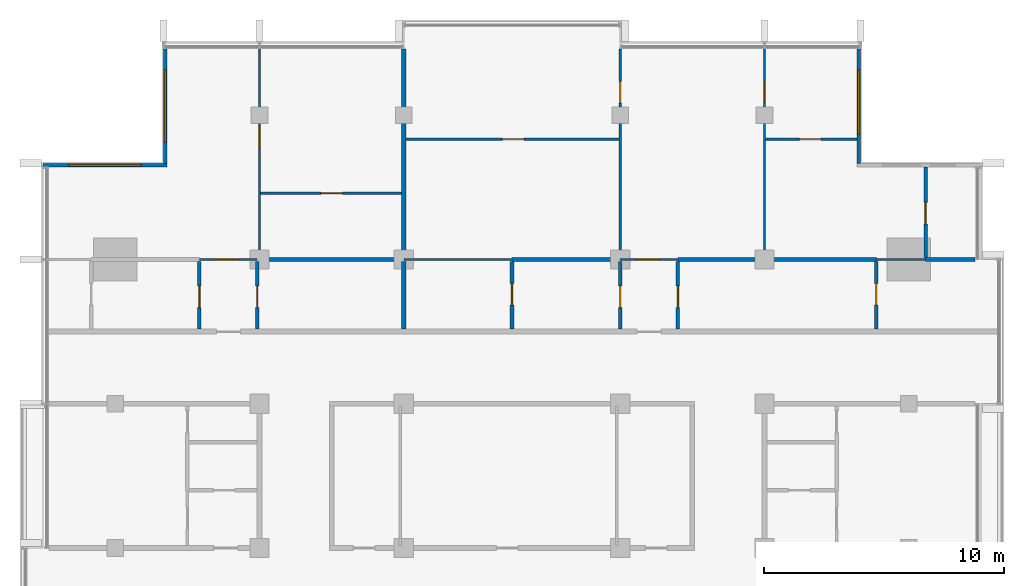
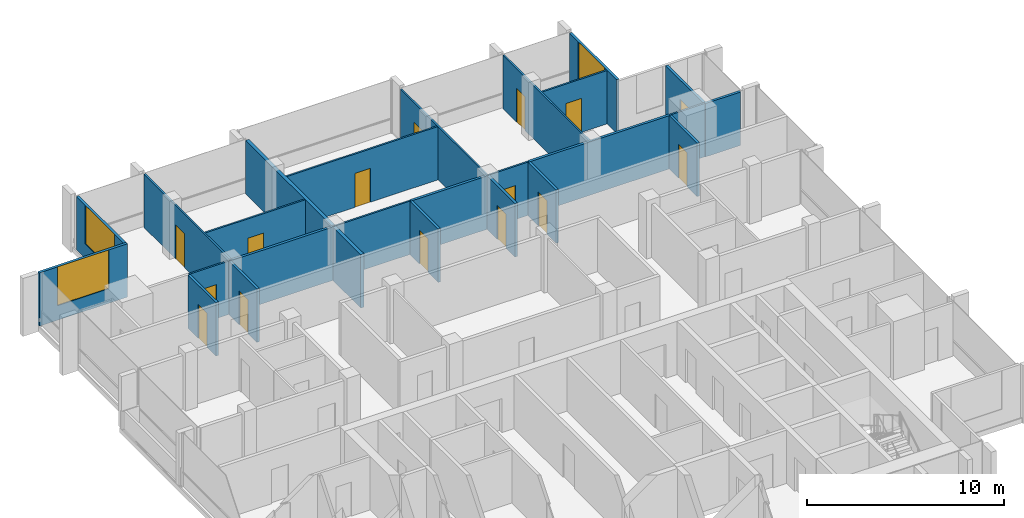
# One storey, part 10 of 16: 26 walls, 15 doors, 3 windows, 18 openings.
"""IFC4 building model written with IfcOpenShell, lengths in metres."""

from ifc_helpers import new_model, si_unit, direction, frame, frame_2d, origin, place, context, subcontext, project, spatial, rectangle, extrude, material, layer, layer_set, type_object, element, fill, save


model = new_model("IFC4")

# Units and contexts
model_context = context("Model", 3, precision=1e-05, world=origin(), true_north=direction((0.0, 1.0)))
body_context = subcontext(model_context, "Body", "Model", "MODEL_VIEW")
ifc_project = project(units=[si_unit("LENGTHUNIT", "METRE"), si_unit("AREAUNIT", "SQUARE_METRE"), si_unit("VOLUMEUNIT", "CUBIC_METRE"), si_unit("PLANEANGLEUNIT", "RADIAN"), si_unit("MASSUNIT", "GRAM", prefix="KILO")], contexts=[model_context])

# Site, building, storey
site_placement = place(None, origin())
site = spatial("IfcSite", under=ifc_project, at=site_placement, CompositionType="ELEMENT")
building_placement = place(site_placement, origin())
building = spatial("IfcBuilding", under=site, at=building_placement, Name="Finial Court Residences", CompositionType="ELEMENT")
storey_placement = place(building_placement, frame((0.0, 0.0, 287.89990234375)))
storey = spatial("IfcBuildingStorey", under=building, at=storey_placement, Name="L73", CompositionType="ELEMENT", Elevation=287.89990234375)

# Walls
ifc_material_1 = material(Name="Gypsum board")
ifc_layer_1 = layer(ifc_material_1, 0.02490234375)
ifc_material_2 = material(Name="Acoustic mineral wool in double frame")
ifc_layer_2 = layer(ifc_material_2, 0.14990234375)
ifc_layer_3 = layer(ifc_material_1, 0.02490234375)
ifc_layer_set_1 = layer_set([ifc_layer_1, ifc_layer_2, ifc_layer_3], Name="Acoustic party wall 200, 1 hour")
wall_type_1 = type_object("IfcWallType", Name="Acoustic party wall 200, 1 hour", PredefinedType="PARTITIONING", material=ifc_layer_set_1)
wall_1_placement = place(storey_placement, frame((-4.5, 4.60009765625, 0.0), z_axis=(0.0, 0.0, 1.0), x_axis=(0.0, 1.0, 0.0)))
element("IfcWall", 1, at=wall_1_placement, inside=storey, type_object=wall_type_1, Name="Partition L73-040", PredefinedType="PARTITIONING", context=body_context, shape_type="SweptSolid", body=[
    extrude(rectangle(XDim=2.824951171875, YDim=0.199951171875, at=frame_2d((1.41259765625, 0.0))), origin(), (0.0, 0.0, 1.0), 3.300048828125),
])
wall_2_placement = place(storey_placement, frame((-4.5, 7.574951171875, 0.0), z_axis=(0.0, 0.0, 1.0), x_axis=(0.0, 1.0, 0.0)))
element("IfcWall", 2, at=wall_2_placement, inside=storey, type_object=wall_type_1, Name="Partition L73-041", PredefinedType="PARTITIONING", context=body_context, shape_type="SweptSolid", body=[
    extrude(rectangle(XDim=8.6875, YDim=0.199951171875, at=frame_2d((4.34375, 0.0))), origin(), (0.0, 0.0, 1.0), 3.300048828125),
])

# Wall, opening, door
ifc_layer_4 = layer(ifc_material_1, 0.012451171875)
ifc_material_3 = material(Name="Mineral wool in light-gauge frame")
ifc_layer_5 = layer(ifc_material_3, 0.074951171875)
ifc_layer_6 = layer(ifc_material_1, 0.012451171875)
ifc_layer_set_2 = layer_set([ifc_layer_4, ifc_layer_5, ifc_layer_6], Name="Gypsum board partition 100")
wall_type_2 = type_object("IfcWallType", Name="Gypsum board partition 100", PredefinedType="PARTITIONING", material=ifc_layer_set_2)
wall_3_placement = place(storey_placement, frame((-13.0, 7.5, 0.0), z_axis=(0.0, 0.0, 1.0), x_axis=(1.0, 0.0, 0.0)))
wall_3 = element("IfcWall", 3, at=wall_3_placement, inside=storey, type_object=wall_type_2, Name="Partition L73-018", PredefinedType="PARTITIONING", context=body_context, shape_type="SweptSolid", body=[
    extrude(rectangle(XDim=2.39990234375, YDim=0.10009765625, at=frame_2d((1.199951171875, 0.0))), origin(), (0.0, 0.0, 1.0), 3.300048828125),
])
opening_1_placement = place(wall_3_placement, frame((0.699951171875, 0.0, 0.0)))
opening_1 = element("IfcOpeningElement", 4, at=opening_1_placement, cuts=wall_3, Name="Opening L73-D018", PredefinedType="OPENING", context=body_context, shape_type="SweptSolid", body=[
    extrude(rectangle(XDim=0.89990234375, YDim=2.10009765625, at=frame_2d((0.449951171875, 1.050048828125))), frame((0.0, 0.06005859375, 0.0), z_axis=(0.0, -1.0, 0.0), x_axis=(1.0, 0.0, 0.0)), (0.0, 0.0, 1.0), 0.1201171875),
])
ifc_material_4 = material(Name="Timber door leaf in timber frame", Category="wood")
door_type = type_object("IfcDoorType", Name="Door set 900 x 2100", OperationType="SINGLE_SWING_LEFT", PredefinedType="DOOR", material=ifc_material_4)
door_1_placement = place(opening_1_placement, origin())
door_1 = element("IfcDoor", 5, at=door_1_placement, inside=storey, type_object=door_type, Name="Door L73-D018", OperationType="SINGLE_SWING_RIGHT", OverallHeight=2.10009765625, OverallWidth=0.89990234375, PredefinedType="DOOR", context=body_context, shape_type="SweptSolid", body=[
    extrude(rectangle(XDim=0.89990234375, YDim=2.10009765625, at=frame_2d((0.449951171875, 1.050048828125))), frame((0.0, 0.02490234375, 0.0), z_axis=(0.0, -1.0, 0.0), x_axis=(1.0, 0.0, 0.0)), (0.0, 0.0, 1.0), 0.050048828125),
])
fill(opening_1, door_1)

# Wall
wall_4_placement = place(storey_placement, frame((-4.5, 7.5, 0.0), z_axis=(0.0, 0.0, 1.0), x_axis=(1.0, 0.0, 0.0)))
element("IfcWall", 6, at=wall_4_placement, inside=storey, type_object=wall_type_2, Name="Partition L73-019", PredefinedType="PARTITIONING", context=body_context, shape_type="SweptSolid", body=[
    extrude(rectangle(XDim=4.5, YDim=0.10009765625, at=frame_2d((2.25, 0.0))), origin(), (0.0, 0.0, 1.0), 3.300048828125),
])

# Wall, opening, door
wall_5_placement = place(storey_placement, frame((4.5, 7.5, 0.0), z_axis=(0.0, 0.0, 1.0), x_axis=(1.0, 0.0, 0.0)))
wall_5 = element("IfcWall", 7, at=wall_5_placement, inside=storey, type_object=wall_type_2, Name="Partition L73-020", PredefinedType="PARTITIONING", context=body_context, shape_type="SweptSolid", body=[
    extrude(rectangle(XDim=2.39990234375, YDim=0.10009765625, at=frame_2d((1.199951171875, 0.0))), origin(), (0.0, 0.0, 1.0), 3.300048828125),
])
opening_2_placement = place(wall_5_placement, frame((0.699951171875, 0.0, 0.0)))
opening_2 = element("IfcOpeningElement", 8, at=opening_2_placement, cuts=wall_5, Name="Opening L73-D019", PredefinedType="OPENING", context=body_context, shape_type="SweptSolid", body=[
    extrude(rectangle(XDim=0.89990234375, YDim=2.10009765625, at=frame_2d((0.449951171875, 1.050048828125))), frame((0.0, 0.06005859375, 0.0), z_axis=(0.0, -1.0, 0.0), x_axis=(1.0, 0.0, 0.0)), (0.0, 0.0, 1.0), 0.1201171875),
])
door_2_placement = place(opening_2_placement, origin())
door_2 = element("IfcDoor", 9, at=door_2_placement, inside=storey, type_object=door_type, Name="Door L73-D019", OperationType="SINGLE_SWING_LEFT", OverallHeight=2.10009765625, OverallWidth=0.89990234375, PredefinedType="DOOR", context=body_context, shape_type="SweptSolid", body=[
    extrude(rectangle(XDim=0.89990234375, YDim=2.10009765625, at=frame_2d((0.449951171875, 1.050048828125))), frame((0.0, 0.02490234375, 0.0), z_axis=(0.0, -1.0, 0.0), x_axis=(1.0, 0.0, 0.0)), (0.0, 0.0, 1.0), 0.050048828125),
])
fill(opening_2, door_2)

# Wall
wall_6_placement = place(storey_placement, frame((15.14990234375, 7.5, 0.0), z_axis=(0.0, 0.0, 1.0), x_axis=(1.0, 0.0, 0.0)))
element("IfcWall", 10, at=wall_6_placement, inside=storey, type_object=wall_type_2, Name="Partition L73-021", PredefinedType="PARTITIONING", context=body_context, shape_type="SweptSolid", body=[
    extrude(rectangle(XDim=2.050048828125, YDim=0.10009765625, at=frame_2d((1.02490234375, 0.0))), origin(), (0.0, 0.0, 1.0), 3.300048828125),
])

# Wall, opening, door
wall_7_placement = place(storey_placement, frame((-10.449951171875, 10.25, 0.0), z_axis=(0.0, 0.0, 1.0), x_axis=(1.0, 0.0, 0.0)))
wall_7 = element("IfcWall", 11, at=wall_7_placement, inside=storey, type_object=wall_type_2, Name="Partition L73-027", PredefinedType="PARTITIONING", context=body_context, shape_type="SweptSolid", body=[
    extrude(rectangle(XDim=5.849853515625, YDim=0.10009765625, at=frame_2d((2.9248046875, 0.0))), origin(), (0.0, 0.0, 1.0), 3.300048828125),
])
opening_3_placement = place(wall_7_placement, frame((2.5, 0.0, 0.0)))
opening_3 = element("IfcOpeningElement", 12, at=opening_3_placement, cuts=wall_7, Name="Opening L73-D020", PredefinedType="OPENING", context=body_context, shape_type="SweptSolid", body=[
    extrude(rectangle(XDim=0.89990234375, YDim=2.10009765625, at=frame_2d((0.449951171875, 1.050048828125))), frame((0.0, 0.06005859375, 0.0), z_axis=(0.0, -1.0, 0.0), x_axis=(1.0, 0.0, 0.0)), (0.0, 0.0, 1.0), 0.1201171875),
])
door_3_placement = place(opening_3_placement, origin())
door_3 = element("IfcDoor", 13, at=door_3_placement, inside=storey, type_object=door_type, Name="Door L73-D020", OperationType="SINGLE_SWING_RIGHT", OverallHeight=2.10009765625, OverallWidth=0.89990234375, PredefinedType="DOOR", context=body_context, shape_type="SweptSolid", body=[
    extrude(rectangle(XDim=0.89990234375, YDim=2.10009765625, at=frame_2d((0.449951171875, 1.050048828125))), frame((0.0, 0.02490234375, 0.0), z_axis=(0.0, -1.0, 0.0), x_axis=(1.0, 0.0, 0.0)), (0.0, 0.0, 1.0), 0.050048828125),
])
fill(opening_3, door_3)

wall_8_placement = place(storey_placement, frame((-4.39990234375, 12.5, 0.0), z_axis=(0.0, 0.0, 1.0), x_axis=(1.0, 0.0, 0.0)))
wall_8 = element("IfcWall", 14, at=wall_8_placement, inside=storey, type_object=wall_type_2, Name="Partition L73-028", PredefinedType="PARTITIONING", context=body_context, shape_type="SweptSolid", body=[
    extrude(rectangle(XDim=8.849853515625, YDim=0.10009765625, at=frame_2d((4.4248046875, 0.0))), origin(), (0.0, 0.0, 1.0), 3.300048828125),
])
opening_4_placement = place(wall_8_placement, frame((4.0, 0.0, 0.0)))
opening_4 = element("IfcOpeningElement", 15, at=opening_4_placement, cuts=wall_8, Name="Opening L73-D021", PredefinedType="OPENING", context=body_context, shape_type="SweptSolid", body=[
    extrude(rectangle(XDim=0.89990234375, YDim=2.10009765625, at=frame_2d((0.449951171875, 1.050048828125))), frame((0.0, 0.06005859375, 0.0), z_axis=(0.0, -1.0, 0.0), x_axis=(1.0, 0.0, 0.0)), (0.0, 0.0, 1.0), 0.1201171875),
])
door_4_placement = place(opening_4_placement, origin())
door_4 = element("IfcDoor", 16, at=door_4_placement, inside=storey, type_object=door_type, Name="Door L73-D021", OperationType="SINGLE_SWING_LEFT", OverallHeight=2.10009765625, OverallWidth=0.89990234375, PredefinedType="DOOR", context=body_context, shape_type="SweptSolid", body=[
    extrude(rectangle(XDim=0.89990234375, YDim=2.10009765625, at=frame_2d((0.449951171875, 1.050048828125))), frame((0.0, 0.02490234375, 0.0), z_axis=(0.0, -1.0, 0.0), x_axis=(1.0, 0.0, 0.0)), (0.0, 0.0, 1.0), 0.050048828125),
])
fill(opening_4, door_4)

wall_9_placement = place(storey_placement, frame((10.550048828125, 12.5, 0.0), z_axis=(0.0, 0.0, 1.0), x_axis=(1.0, 0.0, 0.0)))
wall_9 = element("IfcWall", 17, at=wall_9_placement, inside=storey, type_object=wall_type_2, Name="Partition L73-029", PredefinedType="PARTITIONING", context=body_context, shape_type="SweptSolid", body=[
    extrude(rectangle(XDim=3.800048828125, YDim=0.10009765625, at=frame_2d((1.89990234375, 0.0))), origin(), (0.0, 0.0, 1.0), 3.300048828125),
])
opening_5_placement = place(wall_9_placement, frame((1.39990234375, 0.0, 0.0)))
opening_5 = element("IfcOpeningElement", 18, at=opening_5_placement, cuts=wall_9, Name="Opening L73-D022", PredefinedType="OPENING", context=body_context, shape_type="SweptSolid", body=[
    extrude(rectangle(XDim=0.89990234375, YDim=2.10009765625, at=frame_2d((0.449951171875, 1.050048828125))), frame((0.0, 0.06005859375, 0.0), z_axis=(0.0, -1.0, 0.0), x_axis=(1.0, 0.0, 0.0)), (0.0, 0.0, 1.0), 0.1201171875),
])
door_5_placement = place(opening_5_placement, origin())
door_5 = element("IfcDoor", 19, at=door_5_placement, inside=storey, type_object=door_type, Name="Door L73-D022", OperationType="SINGLE_SWING_LEFT", OverallHeight=2.10009765625, OverallWidth=0.89990234375, PredefinedType="DOOR", context=body_context, shape_type="SweptSolid", body=[
    extrude(rectangle(XDim=0.89990234375, YDim=2.10009765625, at=frame_2d((0.449951171875, 1.050048828125))), frame((0.0, 0.02490234375, 0.0), z_axis=(0.0, -1.0, 0.0), x_axis=(1.0, 0.0, 0.0)), (0.0, 0.0, 1.0), 0.050048828125),
])
fill(opening_5, door_5)

wall_10_placement = place(storey_placement, frame((-10.5, 7.574951171875, 0.0), z_axis=(0.0, 0.0, 1.0), x_axis=(0.0, 1.0, 0.0)))
wall_10 = element("IfcWall", 20, at=wall_10_placement, inside=storey, type_object=wall_type_2, Name="Partition L73-037", PredefinedType="PARTITIONING", context=body_context, shape_type="SweptSolid", body=[
    extrude(rectangle(XDim=8.6875, YDim=0.10009765625, at=frame_2d((4.34375, 0.0))), origin(), (0.0, 0.0, 1.0), 3.300048828125),
])
opening_6_placement = place(wall_10_placement, frame((4.574951171875, 0.0, 0.0)))
opening_6 = element("IfcOpeningElement", 21, at=opening_6_placement, cuts=wall_10, Name="Opening L73-D028", PredefinedType="OPENING", context=body_context, shape_type="SweptSolid", body=[
    extrude(rectangle(XDim=0.89990234375, YDim=2.10009765625, at=frame_2d((0.449951171875, 1.050048828125))), frame((0.0, 0.06005859375, 0.0), z_axis=(0.0, -1.0, 0.0), x_axis=(1.0, 0.0, 0.0)), (0.0, 0.0, 1.0), 0.1201171875),
])
door_6_placement = place(opening_6_placement, origin())
door_6 = element("IfcDoor", 22, at=door_6_placement, inside=storey, type_object=door_type, Name="Door L73-D028", OperationType="SINGLE_SWING_RIGHT", OverallHeight=2.10009765625, OverallWidth=0.89990234375, PredefinedType="DOOR", context=body_context, shape_type="SweptSolid", body=[
    extrude(rectangle(XDim=0.89990234375, YDim=2.10009765625, at=frame_2d((0.449951171875, 1.050048828125))), frame((0.0, 0.02490234375, 0.0), z_axis=(0.0, -1.0, 0.0), x_axis=(1.0, 0.0, 0.0)), (0.0, 0.0, 1.0), 0.050048828125),
])
fill(opening_6, door_6)

wall_11_placement = place(storey_placement, frame((4.5, 7.574951171875, 0.0), z_axis=(0.0, 0.0, 1.0), x_axis=(0.0, 1.0, 0.0)))
wall_11 = element("IfcWall", 23, at=wall_11_placement, inside=storey, type_object=wall_type_2, Name="Partition L73-044", PredefinedType="PARTITIONING", context=body_context, shape_type="SweptSolid", body=[
    extrude(rectangle(XDim=8.6875, YDim=0.10009765625, at=frame_2d((4.34375, 0.0))), origin(), (0.0, 0.0, 1.0), 3.300048828125),
])
opening_7_placement = place(wall_11_placement, frame((6.425048828125, 0.0, 0.0)))
opening_7 = element("IfcOpeningElement", 24, at=opening_7_placement, cuts=wall_11, Name="Opening L73-D030", PredefinedType="OPENING", context=body_context, shape_type="SweptSolid", body=[
    extrude(rectangle(XDim=0.89990234375, YDim=2.10009765625, at=frame_2d((0.449951171875, 1.050048828125))), frame((0.0, 0.06005859375, 0.0), z_axis=(0.0, -1.0, 0.0), x_axis=(1.0, 0.0, 0.0)), (0.0, 0.0, 1.0), 0.1201171875),
])
door_7_placement = place(opening_7_placement, origin())
door_7 = element("IfcDoor", 25, at=door_7_placement, inside=storey, type_object=door_type, Name="Door L73-D030", OperationType="SINGLE_SWING_LEFT", OverallHeight=2.10009765625, OverallWidth=0.89990234375, PredefinedType="DOOR", context=body_context, shape_type="SweptSolid", body=[
    extrude(rectangle(XDim=0.89990234375, YDim=2.10009765625, at=frame_2d((0.449951171875, 1.050048828125))), frame((0.0, 0.02490234375, 0.0), z_axis=(0.0, -1.0, 0.0), x_axis=(1.0, 0.0, 0.0)), (0.0, 0.0, 1.0), 0.050048828125),
])
fill(opening_7, door_7)

wall_12_placement = place(storey_placement, frame((10.5, 7.574951171875, 0.0), z_axis=(0.0, 0.0, 1.0), x_axis=(0.0, 1.0, 0.0)))
wall_12 = element("IfcWall", 26, at=wall_12_placement, inside=storey, type_object=wall_type_2, Name="Partition L73-049", PredefinedType="PARTITIONING", context=body_context, shape_type="SweptSolid", body=[
    extrude(rectangle(XDim=8.6875, YDim=0.10009765625, at=frame_2d((4.34375, 0.0))), origin(), (0.0, 0.0, 1.0), 3.300048828125),
])
opening_8_placement = place(wall_12_placement, frame((6.425048828125, 0.0, 0.0)))
opening_8 = element("IfcOpeningElement", 27, at=opening_8_placement, cuts=wall_12, Name="Opening L73-D033", PredefinedType="OPENING", context=body_context, shape_type="SweptSolid", body=[
    extrude(rectangle(XDim=0.89990234375, YDim=2.10009765625, at=frame_2d((0.449951171875, 1.050048828125))), frame((0.0, 0.06005859375, 0.0), z_axis=(0.0, -1.0, 0.0), x_axis=(1.0, 0.0, 0.0)), (0.0, 0.0, 1.0), 0.1201171875),
])
door_8_placement = place(opening_8_placement, origin())
door_8 = element("IfcDoor", 28, at=door_8_placement, inside=storey, type_object=door_type, Name="Door L73-D033", OperationType="SINGLE_SWING_RIGHT", OverallHeight=2.10009765625, OverallWidth=0.89990234375, PredefinedType="DOOR", context=body_context, shape_type="SweptSolid", body=[
    extrude(rectangle(XDim=0.89990234375, YDim=2.10009765625, at=frame_2d((0.449951171875, 1.050048828125))), frame((0.0, 0.02490234375, 0.0), z_axis=(0.0, -1.0, 0.0), x_axis=(1.0, 0.0, 0.0)), (0.0, 0.0, 1.0), 0.050048828125),
])
fill(opening_8, door_8)

# Walls
ifc_material_5 = material(Name="Moisture-resistant gypsum board")
ifc_layer_7 = layer(ifc_material_5, 0.012451171875)
ifc_layer_8 = layer(ifc_material_3, 0.125)
ifc_layer_9 = layer(ifc_material_5, 0.012451171875)
ifc_layer_set_3 = layer_set([ifc_layer_7, ifc_layer_8, ifc_layer_9], Name="Gypsum board wet-area partition 150")
wall_type_3 = type_object("IfcWallType", Name="Gypsum board wet-area partition 150", PredefinedType="PARTITIONING", material=ifc_layer_set_3)
wall_13_placement = place(storey_placement, frame((-10.5, 7.5, 0.0), z_axis=(0.0, 0.0, 1.0), x_axis=(1.0, 0.0, 0.0)))
element("IfcWall", 29, at=wall_13_placement, inside=storey, type_object=wall_type_3, Name="Partition L73-023", PredefinedType="PARTITIONING", context=body_context, shape_type="SweptSolid", body=[
    extrude(rectangle(XDim=6.0, YDim=0.14990234375, at=frame_2d((3.0, 0.0))), origin(), (0.0, 0.0, 1.0), 3.300048828125),
])
wall_14_placement = place(storey_placement, frame((0.0, 7.5, 0.0), z_axis=(0.0, 0.0, 1.0), x_axis=(1.0, 0.0, 0.0)))
element("IfcWall", 30, at=wall_14_placement, inside=storey, type_object=wall_type_3, Name="Partition L73-024", PredefinedType="PARTITIONING", context=body_context, shape_type="SweptSolid", body=[
    extrude(rectangle(XDim=4.5, YDim=0.14990234375, at=frame_2d((2.25, 0.0))), origin(), (0.0, 0.0, 1.0), 3.300048828125),
])
wall_15_placement = place(storey_placement, frame((6.89990234375, 7.5, 0.0), z_axis=(0.0, 0.0, 1.0), x_axis=(1.0, 0.0, 0.0)))
element("IfcWall", 31, at=wall_15_placement, inside=storey, type_object=wall_type_3, Name="Partition L73-025", PredefinedType="PARTITIONING", context=body_context, shape_type="SweptSolid", body=[
    extrude(rectangle(XDim=8.25, YDim=0.14990234375, at=frame_2d((4.125, 0.0))), origin(), (0.0, 0.0, 1.0), 3.300048828125),
])
wall_16_placement = place(storey_placement, frame((17.199951171875, 7.5, 0.0), z_axis=(0.0, 0.0, 1.0), x_axis=(1.0, 0.0, 0.0)))
element("IfcWall", 32, at=wall_16_placement, inside=storey, type_object=wall_type_3, Name="Partition L73-026", PredefinedType="PARTITIONING", context=body_context, shape_type="SweptSolid", body=[
    extrude(rectangle(XDim=2.0625, YDim=0.14990234375, at=frame_2d((1.03125, 0.0))), origin(), (0.0, 0.0, 1.0), 3.300048828125),
])

# Wall, opening, door
wall_17_placement = place(storey_placement, frame((-13.0, 4.60009765625, 0.0), z_axis=(0.0, 0.0, 1.0), x_axis=(0.0, 1.0, 0.0)))
wall_17 = element("IfcWall", 33, at=wall_17_placement, inside=storey, type_object=wall_type_3, Name="Partition L73-034", PredefinedType="PARTITIONING", context=body_context, shape_type="SweptSolid", body=[
    extrude(rectangle(XDim=2.824951171875, YDim=0.14990234375, at=frame_2d((1.41259765625, 0.0))), origin(), (0.0, 0.0, 1.0), 3.300048828125),
])
opening_9_placement = place(wall_17_placement, frame((0.89990234375, 0.0, 0.0)))
opening_9 = element("IfcOpeningElement", 34, at=opening_9_placement, cuts=wall_17, Name="Opening L73-D026", PredefinedType="OPENING", context=body_context, shape_type="SweptSolid", body=[
    extrude(rectangle(XDim=0.89990234375, YDim=2.10009765625, at=frame_2d((0.449951171875, 1.050048828125))), frame((0.0, 0.0849609375, 0.0), z_axis=(0.0, -1.0, 0.0), x_axis=(1.0, 0.0, 0.0)), (0.0, 0.0, 1.0), 0.169921875),
])
door_9_placement = place(opening_9_placement, origin())
door_9 = element("IfcDoor", 35, at=door_9_placement, inside=storey, type_object=door_type, Name="Door L73-D026", OperationType="SINGLE_SWING_LEFT", OverallHeight=2.10009765625, OverallWidth=0.89990234375, PredefinedType="DOOR", context=body_context, shape_type="SweptSolid", body=[
    extrude(rectangle(XDim=0.89990234375, YDim=2.10009765625, at=frame_2d((0.449951171875, 1.050048828125))), frame((0.0, 0.02490234375, 0.0), z_axis=(0.0, -1.0, 0.0), x_axis=(1.0, 0.0, 0.0)), (0.0, 0.0, 1.0), 0.050048828125),
])
fill(opening_9, door_9)

wall_18_placement = place(storey_placement, frame((-10.60009765625, 4.60009765625, 0.0), z_axis=(0.0, 0.0, 1.0), x_axis=(0.0, 1.0, 0.0)))
wall_18 = element("IfcWall", 36, at=wall_18_placement, inside=storey, type_object=wall_type_3, Name="Partition L73-035", PredefinedType="PARTITIONING", context=body_context, shape_type="SweptSolid", body=[
    extrude(rectangle(XDim=2.824951171875, YDim=0.14990234375, at=frame_2d((1.41259765625, 0.0))), origin(), (0.0, 0.0, 1.0), 3.300048828125),
])
opening_10_placement = place(wall_18_placement, frame((0.89990234375, 0.0, 0.0)))
opening_10 = element("IfcOpeningElement", 37, at=opening_10_placement, cuts=wall_18, Name="Opening L73-D027", PredefinedType="OPENING", context=body_context, shape_type="SweptSolid", body=[
    extrude(rectangle(XDim=0.89990234375, YDim=2.10009765625, at=frame_2d((0.449951171875, 1.050048828125))), frame((0.0, 0.0849609375, 0.0), z_axis=(0.0, -1.0, 0.0), x_axis=(1.0, 0.0, 0.0)), (0.0, 0.0, 1.0), 0.169921875),
])
door_10_placement = place(opening_10_placement, origin())
door_10 = element("IfcDoor", 38, at=door_10_placement, inside=storey, type_object=door_type, Name="Door L73-D027", OperationType="SINGLE_SWING_RIGHT", OverallHeight=2.10009765625, OverallWidth=0.89990234375, PredefinedType="DOOR", context=body_context, shape_type="SweptSolid", body=[
    extrude(rectangle(XDim=0.89990234375, YDim=2.10009765625, at=frame_2d((0.449951171875, 1.050048828125))), frame((0.0, 0.02490234375, 0.0), z_axis=(0.0, -1.0, 0.0), x_axis=(1.0, 0.0, 0.0)), (0.0, 0.0, 1.0), 0.050048828125),
])
fill(opening_10, door_10)

wall_19_placement = place(storey_placement, frame((0.0, 4.60009765625, 0.0), z_axis=(0.0, 0.0, 1.0), x_axis=(0.0, 1.0, 0.0)))
wall_19 = element("IfcWall", 39, at=wall_19_placement, inside=storey, type_object=wall_type_3, Name="Partition L73-042", PredefinedType="PARTITIONING", context=body_context, shape_type="SweptSolid", body=[
    extrude(rectangle(XDim=2.824951171875, YDim=0.14990234375, at=frame_2d((1.41259765625, 0.0))), origin(), (0.0, 0.0, 1.0), 3.300048828125),
])
opening_11_placement = place(wall_19_placement, frame((1.0, 0.0, 0.0)))
opening_11 = element("IfcOpeningElement", 40, at=opening_11_placement, cuts=wall_19, Name="Opening L73-D029", PredefinedType="OPENING", context=body_context, shape_type="SweptSolid", body=[
    extrude(rectangle(XDim=0.89990234375, YDim=2.10009765625, at=frame_2d((0.449951171875, 1.050048828125))), frame((0.0, 0.0849609375, 0.0), z_axis=(0.0, -1.0, 0.0), x_axis=(1.0, 0.0, 0.0)), (0.0, 0.0, 1.0), 0.169921875),
])
door_11_placement = place(opening_11_placement, origin())
door_11 = element("IfcDoor", 41, at=door_11_placement, inside=storey, type_object=door_type, Name="Door L73-D029", OperationType="SINGLE_SWING_RIGHT", OverallHeight=2.10009765625, OverallWidth=0.89990234375, PredefinedType="DOOR", context=body_context, shape_type="SweptSolid", body=[
    extrude(rectangle(XDim=0.89990234375, YDim=2.10009765625, at=frame_2d((0.449951171875, 1.050048828125))), frame((0.0, 0.02490234375, 0.0), z_axis=(0.0, -1.0, 0.0), x_axis=(1.0, 0.0, 0.0)), (0.0, 0.0, 1.0), 0.050048828125),
])
fill(opening_11, door_11)

wall_20_placement = place(storey_placement, frame((4.5, 4.60009765625, 0.0), z_axis=(0.0, 0.0, 1.0), x_axis=(0.0, 1.0, 0.0)))
wall_20 = element("IfcWall", 42, at=wall_20_placement, inside=storey, type_object=wall_type_3, Name="Partition L73-045", PredefinedType="PARTITIONING", context=body_context, shape_type="SweptSolid", body=[
    extrude(rectangle(XDim=2.824951171875, YDim=0.14990234375, at=frame_2d((1.41259765625, 0.0))), origin(), (0.0, 0.0, 1.0), 3.300048828125),
])
opening_12_placement = place(wall_20_placement, frame((0.89990234375, 0.0, 0.0)))
opening_12 = element("IfcOpeningElement", 43, at=opening_12_placement, cuts=wall_20, Name="Opening L73-D031", PredefinedType="OPENING", context=body_context, shape_type="SweptSolid", body=[
    extrude(rectangle(XDim=0.89990234375, YDim=2.10009765625, at=frame_2d((0.449951171875, 1.050048828125))), frame((0.0, 0.0849609375, 0.0), z_axis=(0.0, -1.0, 0.0), x_axis=(1.0, 0.0, 0.0)), (0.0, 0.0, 1.0), 0.169921875),
])
door_12_placement = place(opening_12_placement, origin())
door_12 = element("IfcDoor", 44, at=door_12_placement, inside=storey, type_object=door_type, Name="Door L73-D031", OperationType="SINGLE_SWING_RIGHT", OverallHeight=2.10009765625, OverallWidth=0.89990234375, PredefinedType="DOOR", context=body_context, shape_type="SweptSolid", body=[
    extrude(rectangle(XDim=0.89990234375, YDim=2.10009765625, at=frame_2d((0.449951171875, 1.050048828125))), frame((0.0, 0.02490234375, 0.0), z_axis=(0.0, -1.0, 0.0), x_axis=(1.0, 0.0, 0.0)), (0.0, 0.0, 1.0), 0.050048828125),
])
fill(opening_12, door_12)

wall_21_placement = place(storey_placement, frame((6.89990234375, 4.60009765625, 0.0), z_axis=(0.0, 0.0, 1.0), x_axis=(0.0, 1.0, 0.0)))
wall_21 = element("IfcWall", 45, at=wall_21_placement, inside=storey, type_object=wall_type_3, Name="Partition L73-046", PredefinedType="PARTITIONING", context=body_context, shape_type="SweptSolid", body=[
    extrude(rectangle(XDim=2.824951171875, YDim=0.14990234375, at=frame_2d((1.41259765625, 0.0))), origin(), (0.0, 0.0, 1.0), 3.300048828125),
])
opening_13_placement = place(wall_21_placement, frame((0.89990234375, 0.0, 0.0)))
opening_13 = element("IfcOpeningElement", 46, at=opening_13_placement, cuts=wall_21, Name="Opening L73-D032", PredefinedType="OPENING", context=body_context, shape_type="SweptSolid", body=[
    extrude(rectangle(XDim=0.89990234375, YDim=2.10009765625, at=frame_2d((0.449951171875, 1.050048828125))), frame((0.0, 0.0849609375, 0.0), z_axis=(0.0, -1.0, 0.0), x_axis=(1.0, 0.0, 0.0)), (0.0, 0.0, 1.0), 0.169921875),
])
door_13_placement = place(opening_13_placement, origin())
door_13 = element("IfcDoor", 47, at=door_13_placement, inside=storey, type_object=door_type, Name="Door L73-D032", OperationType="SINGLE_SWING_RIGHT", OverallHeight=2.10009765625, OverallWidth=0.89990234375, PredefinedType="DOOR", context=body_context, shape_type="SweptSolid", body=[
    extrude(rectangle(XDim=0.89990234375, YDim=2.10009765625, at=frame_2d((0.449951171875, 1.050048828125))), frame((0.0, 0.02490234375, 0.0), z_axis=(0.0, -1.0, 0.0), x_axis=(1.0, 0.0, 0.0)), (0.0, 0.0, 1.0), 0.050048828125),
])
fill(opening_13, door_13)

wall_22_placement = place(storey_placement, frame((15.14990234375, 4.60009765625, 0.0), z_axis=(0.0, 0.0, 1.0), x_axis=(0.0, 1.0, 0.0)))
wall_22 = element("IfcWall", 48, at=wall_22_placement, inside=storey, type_object=wall_type_3, Name="Partition L73-052", PredefinedType="PARTITIONING", context=body_context, shape_type="SweptSolid", body=[
    extrude(rectangle(XDim=2.824951171875, YDim=0.14990234375, at=frame_2d((1.41259765625, 0.0))), origin(), (0.0, 0.0, 1.0), 3.300048828125),
])
opening_14_placement = place(wall_22_placement, frame((1.0, 0.0, 0.0)))
opening_14 = element("IfcOpeningElement", 49, at=opening_14_placement, cuts=wall_22, Name="Opening L73-D036", PredefinedType="OPENING", context=body_context, shape_type="SweptSolid", body=[
    extrude(rectangle(XDim=0.89990234375, YDim=2.10009765625, at=frame_2d((0.449951171875, 1.050048828125))), frame((0.0, 0.0849609375, 0.0), z_axis=(0.0, -1.0, 0.0), x_axis=(1.0, 0.0, 0.0)), (0.0, 0.0, 1.0), 0.169921875),
])
door_14_placement = place(opening_14_placement, origin())
door_14 = element("IfcDoor", 50, at=door_14_placement, inside=storey, type_object=door_type, Name="Door L73-D036", OperationType="SINGLE_SWING_LEFT", OverallHeight=2.10009765625, OverallWidth=0.89990234375, PredefinedType="DOOR", context=body_context, shape_type="SweptSolid", body=[
    extrude(rectangle(XDim=0.89990234375, YDim=2.10009765625, at=frame_2d((0.449951171875, 1.050048828125))), frame((0.0, 0.02490234375, 0.0), z_axis=(0.0, -1.0, 0.0), x_axis=(1.0, 0.0, 0.0)), (0.0, 0.0, 1.0), 0.050048828125),
])
fill(opening_14, door_14)

wall_23_placement = place(storey_placement, frame((17.199951171875, 7.574951171875, 0.0), z_axis=(0.0, 0.0, 1.0), x_axis=(0.0, 1.0, 0.0)))
wall_23 = element("IfcWall", 51, at=wall_23_placement, inside=storey, type_object=wall_type_3, Name="Partition L73-054", PredefinedType="PARTITIONING", context=body_context, shape_type="SweptSolid", body=[
    extrude(rectangle(XDim=3.775146484375, YDim=0.14990234375, at=frame_2d((1.8876953125, 0.0))), origin(), (0.0, 0.0, 1.0), 3.300048828125),
])
opening_15_placement = place(wall_23_placement, frame((1.39990234375, 0.0, 0.0)))
opening_15 = element("IfcOpeningElement", 52, at=opening_15_placement, cuts=wall_23, Name="Opening L73-D037", PredefinedType="OPENING", context=body_context, shape_type="SweptSolid", body=[
    extrude(rectangle(XDim=0.89990234375, YDim=2.10009765625, at=frame_2d((0.449951171875, 1.050048828125))), frame((0.0, 0.0849609375, 0.0), z_axis=(0.0, -1.0, 0.0), x_axis=(1.0, 0.0, 0.0)), (0.0, 0.0, 1.0), 0.169921875),
])
door_15_placement = place(opening_15_placement, origin())
door_15 = element("IfcDoor", 53, at=door_15_placement, inside=storey, type_object=door_type, Name="Door L73-D037", OperationType="SINGLE_SWING_LEFT", OverallHeight=2.10009765625, OverallWidth=0.89990234375, PredefinedType="DOOR", context=body_context, shape_type="SweptSolid", body=[
    extrude(rectangle(XDim=0.89990234375, YDim=2.10009765625, at=frame_2d((0.449951171875, 1.050048828125))), frame((0.0, 0.02490234375, 0.0), z_axis=(0.0, -1.0, 0.0), x_axis=(1.0, 0.0, 0.0)), (0.0, 0.0, 1.0), 0.050048828125),
])
fill(opening_15, door_15)

# Wall, opening, window
ifc_material_6 = material(Name="Natural limestone", Category="masonry")
ifc_layer_10 = layer(ifc_material_6, 0.14990234375)
ifc_layer_set_4 = layer_set([ifc_layer_10], Name="Limestone clad wall 150")
wall_type_4 = type_object("IfcWallType", Name="Limestone clad wall 150", PredefinedType="SOLIDWALL", material=ifc_layer_set_4)
wall_24_placement = place(storey_placement, frame((-14.425048828125, 11.5, 0.0), z_axis=(0.0, 0.0, 1.0), x_axis=(0.0, 1.0, 0.0)))
wall_24 = element("IfcWall", 54, at=wall_24_placement, inside=storey, type_object=wall_type_4, Name="E-L73-NWW16", PredefinedType="SOLIDWALL", context=body_context, shape_type="SweptSolid", body=[
    extrude(rectangle(XDim=4.762451171875, YDim=0.14990234375, at=frame_2d((2.38134765625, 0.0))), origin(), (0.0, 0.0, 1.0), 3.300048828125),
])
opening_16_placement = place(wall_24_placement, frame((0.881103515625, 0.0, 0.89990234375)))
opening_16 = element("IfcOpeningElement", 55, at=opening_16_placement, cuts=wall_24, Name="Opening WE73-05", PredefinedType="OPENING", context=body_context, shape_type="SweptSolid", body=[
    extrude(rectangle(XDim=3.0, YDim=2.39990234375, at=frame_2d((1.5, 1.199951171875))), frame((0.0, 0.0849609375, 0.0), z_axis=(0.0, -1.0, 0.0), x_axis=(1.0, 0.0, 0.0)), (0.0, 0.0, 1.0), 0.169921875),
])
ifc_material_7 = material(Name="Clear low-e glass", Category="glass")
window_type_1 = type_object("IfcWindowType", Name="Corner window 3000 x 2400", PartitioningType="SINGLE_PANEL", PredefinedType="WINDOW", material=ifc_material_7)
window_1_placement = place(opening_16_placement, origin())
window_1 = element("IfcWindow", 56, at=window_1_placement, inside=storey, type_object=window_type_1, Name="E-L73-NWW16-W1", OverallHeight=2.39990234375, OverallWidth=3.0, PartitioningType="SINGLE_PANEL", PredefinedType="WINDOW", context=body_context, shape_type="SweptSolid", body=[
    extrude(rectangle(XDim=3.0, YDim=2.39990234375, at=frame_2d((1.5, 1.199951171875))), frame((0.0, 0.030029296875, 0.0), z_axis=(0.0, -1.0, 0.0), x_axis=(1.0, 0.0, 0.0)), (0.0, 0.0, 1.0), 0.06005859375),
])
fill(opening_16, window_1)

wall_25_placement = place(storey_placement, frame((-19.5, 11.425048828125, 0.0), z_axis=(0.0, 0.0, 1.0), x_axis=(1.0, 0.0, 0.0)))
wall_25 = element("IfcWall", 57, at=wall_25_placement, inside=storey, type_object=wall_type_4, Name="E-L73-NWN17", PredefinedType="SOLIDWALL", context=body_context, shape_type="SweptSolid", body=[
    extrude(rectangle(XDim=5.14990234375, YDim=0.14990234375, at=frame_2d((2.574951171875, 0.0))), origin(), (0.0, 0.0, 1.0), 3.300048828125),
])
opening_17_placement = place(wall_25_placement, frame((1.074951171875, 0.0, 0.89990234375)))
opening_17 = element("IfcOpeningElement", 58, at=opening_17_placement, cuts=wall_25, Name="Opening WE73-06", PredefinedType="OPENING", context=body_context, shape_type="SweptSolid", body=[
    extrude(rectangle(XDim=3.0, YDim=2.39990234375, at=frame_2d((1.5, 1.199951171875))), frame((0.0, 0.0849609375, 0.0), z_axis=(0.0, -1.0, 0.0), x_axis=(1.0, 0.0, 0.0)), (0.0, 0.0, 1.0), 0.169921875),
])
window_2_placement = place(opening_17_placement, origin())
window_2 = element("IfcWindow", 59, at=window_2_placement, inside=storey, type_object=window_type_1, Name="E-L73-NWN17-W1", OverallHeight=2.39990234375, OverallWidth=3.0, PartitioningType="SINGLE_PANEL", PredefinedType="WINDOW", context=body_context, shape_type="SweptSolid", body=[
    extrude(rectangle(XDim=3.0, YDim=2.39990234375, at=frame_2d((1.5, 1.199951171875))), frame((0.0, 0.030029296875, 0.0), z_axis=(0.0, -1.0, 0.0), x_axis=(1.0, 0.0, 0.0)), (0.0, 0.0, 1.0), 0.06005859375),
])
fill(opening_17, window_2)

wall_26_placement = place(storey_placement, frame((14.425048828125, 16.262451171875, 0.0), z_axis=(0.0, 0.0, 1.0), x_axis=(0.0, -1.0, 0.0)))
wall_26 = element("IfcWall", 60, at=wall_26_placement, inside=storey, type_object=wall_type_4, Name="E-L73-NWE18", PredefinedType="SOLIDWALL", context=body_context, shape_type="SweptSolid", body=[
    extrude(rectangle(XDim=4.762451171875, YDim=0.14990234375, at=frame_2d((2.38134765625, 0.0))), origin(), (0.0, 0.0, 1.0), 3.300048828125),
])
opening_18_placement = place(wall_26_placement, frame((0.88134765625, 0.0, 0.89990234375)))
opening_18 = element("IfcOpeningElement", 61, at=opening_18_placement, cuts=wall_26, Name="Opening WE73-07", PredefinedType="OPENING", context=body_context, shape_type="SweptSolid", body=[
    extrude(rectangle(XDim=2.680908203125, YDim=2.39990234375, at=frame_2d((1.34033203125, 1.199951171875))), frame((0.0, 0.0849609375, 0.0), z_axis=(0.0, -1.0, 0.0), x_axis=(1.0, 0.0, 0.0)), (0.0, 0.0, 1.0), 0.169921875),
])
window_type_2 = type_object("IfcWindowType", Name="Corner window 2681 x 2400", PartitioningType="SINGLE_PANEL", PredefinedType="WINDOW", material=ifc_material_7)
window_3_placement = place(opening_18_placement, origin())
window_3 = element("IfcWindow", 62, at=window_3_placement, inside=storey, type_object=window_type_2, Name="E-L73-NWE18-W1", OverallHeight=2.39990234375, OverallWidth=2.680908203125, PartitioningType="SINGLE_PANEL", PredefinedType="WINDOW", context=body_context, shape_type="SweptSolid", body=[
    extrude(rectangle(XDim=2.680908203125, YDim=2.39990234375, at=frame_2d((1.34033203125, 1.199951171875))), frame((0.0, 0.030029296875, 0.0), z_axis=(0.0, -1.0, 0.0), x_axis=(1.0, 0.0, 0.0)), (0.0, 0.0, 1.0), 0.06005859375),
])
fill(opening_18, window_3)

save(model, "model.ifc")
